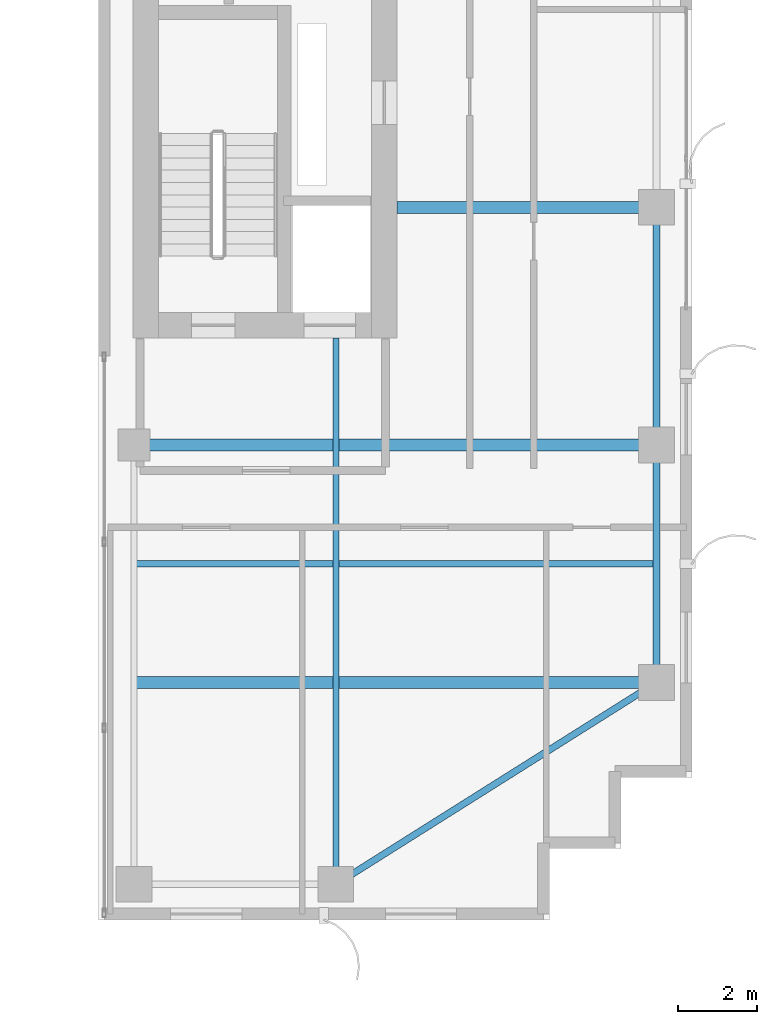
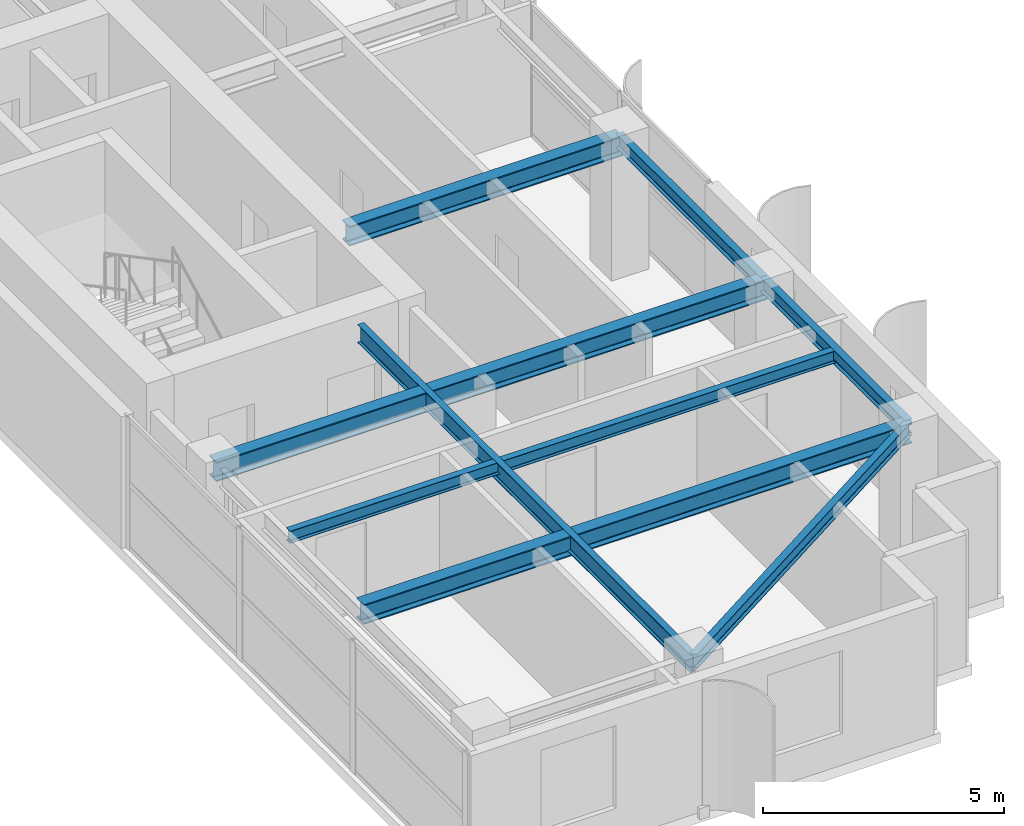
# One storey, part 10 of 22: 8 beams.
"""IFC4 building model written with IfcOpenShell, lengths in metres."""

from ifc_helpers import new_model, si_unit, direction, frame, origin, origin_2d, place, context, subcontext, project, spatial, i_section, extrude, source, transform, mapped, material, material_profile, profile_set, type_object, element, save


model = new_model("IFC4")

# Units and contexts
model_context = context("Model", 3, precision=1e-05, world=origin(), true_north=direction((0.0, 1.0)))
body_context = subcontext(model_context, "Body", "Model", "MODEL_VIEW")
ifc_project = project(units=[si_unit("LENGTHUNIT", "METRE"), si_unit("AREAUNIT", "SQUARE_METRE"), si_unit("VOLUMEUNIT", "CUBIC_METRE"), si_unit("PLANEANGLEUNIT", "RADIAN"), si_unit("MASSUNIT", "GRAM", prefix="KILO")], contexts=[model_context])

# Site, building, storey
site_placement = place(None, origin())
site = spatial("IfcSite", under=ifc_project, at=site_placement, CompositionType="ELEMENT")
building_placement = place(site_placement, origin())
building = spatial("IfcBuilding", under=site, at=building_placement, Name="Khoralis Quay Care Tower", CompositionType="ELEMENT")
storey_placement = place(building_placement, frame((0.0, 0.0, 209.699951171875)))
storey = spatial("IfcBuildingStorey", under=building, at=storey_placement, Name="L55", CompositionType="ELEMENT", Elevation=209.699951171875)

# Beams
ifc_material = material(Name="Steel S355", Category="steel")
ifc_material_profile_1 = material_profile(ifc_material, i_section(OverallWidth=0.169921875, OverallDepth=0.360107421875, WebThickness=0.008056640625, FlangeThickness=0.0126953125, FilletRadius=0.01806640625, at=origin_2d()), Name="Steel S355")
ifc_profile_set_1 = profile_set([ifc_material_profile_1], Name="Steel S355")
beam_type_1 = type_object("IfcBeamType", Name="BM-IPE360", PredefinedType="SPANDREL", material=ifc_profile_set_1)
shared_shape_1 = source(origin(), body_context, "Body", "SweptSolid", [
    extrude(i_section(OverallWidth=0.169921875, OverallDepth=0.360107421875, WebThickness=0.008056640625, FlangeThickness=0.0126953125, FilletRadius=0.01806640625, at=origin_2d()), origin(), (0.0, 0.0, 1.0), 6.0),
])
for number, where, z_axis, x_axis, name in (
    (1, (44.10009765625, 6.0, 3.16015625), (0.0, 1.0, 0.0), (-1.0, 0.0, 0.0), "BM-TSP-L55-10"),
    (2, (44.10009765625, 12.0, 3.16015625), (0.0, 1.0, 0.0), (-1.0, 0.0, 0.0), "BM-TSP-L55-11"),
):
    element("IfcBeam", number, at=place(storey_placement, frame(where, z_axis=z_axis, x_axis=x_axis)), inside=storey, type_object=beam_type_1, Name=name, PredefinedType="SPANDREL", context=body_context, shape_type="MappedRepresentation", body=[
        mapped(shared_shape_1, transform((0.0, 0.0, 0.0), scale=1.0)),
    ])
shared_shape_2 = source(origin(), body_context, "Body", "SweptSolid", [
    extrude(i_section(OverallWidth=0.169921875, OverallDepth=0.360107421875, WebThickness=0.008056640625, FlangeThickness=0.0126953125, FilletRadius=0.01806640625, at=origin_2d()), origin(), (0.0, 0.0, 1.0), 9.572021484375),
])
beam_1_placement = place(storey_placement, frame((36.0, 0.89990234375, 3.16015625), z_axis=(0.846231136359, 0.532815975602, 0.0), x_axis=(-0.532815975602, 0.846231136359, 0.0)))
element("IfcBeam", 3, at=beam_1_placement, inside=storey, type_object=beam_type_1, Name="BM-TCR-L55-16", PredefinedType="SPANDREL", context=body_context, shape_type="MappedRepresentation", body=[
    mapped(shared_shape_2, transform((0.0, 0.0, 0.0), scale=1.0)),
])
ifc_material_profile_2 = material_profile(ifc_material, i_section(OverallWidth=0.300048828125, OverallDepth=0.5, WebThickness=0.014404296875, FlangeThickness=0.028076171875, FilletRadius=0.027099609375, at=origin_2d()), Name="Steel S355")
ifc_profile_set_2 = profile_set([ifc_material_profile_2], Name="Steel S355")
beam_type_2 = type_object("IfcBeamType", Name="BM-HEB500", PredefinedType="BEAM", material=ifc_profile_set_2)
shared_shape_3 = source(origin(), body_context, "Body", "SweptSolid", [
    extrude(i_section(OverallWidth=0.300048828125, OverallDepth=0.5, WebThickness=0.014404296875, FlangeThickness=0.028076171875, FilletRadius=0.027099609375, at=origin_2d()), origin(), (0.0, 0.0, 1.0), 13.135009765625),
])
beam_2_placement = place(storey_placement, frame((30.965087890625, 6.0, 3.090087890625), z_axis=(1.0, 0.0, 0.0), x_axis=(0.0, 1.0, 0.0)))
element("IfcBeam", 4, at=beam_2_placement, inside=storey, type_object=beam_type_2, Name="BM-TGXE-L55-60", PredefinedType="BEAM", context=body_context, shape_type="MappedRepresentation", body=[
    mapped(shared_shape_3, transform((0.0, 0.0, 0.0), scale=1.0)),
])
shared_shape_4 = source(origin(), body_context, "Body", "SweptSolid", [
    extrude(i_section(OverallWidth=0.300048828125, OverallDepth=0.5, WebThickness=0.014404296875, FlangeThickness=0.028076171875, FilletRadius=0.027099609375, at=origin_2d()), origin(), (0.0, 0.0, 1.0), 13.2001953125),
])
beam_3_placement = place(storey_placement, frame((30.89990234375, 12.0, 3.090087890625), z_axis=(1.0, 0.0, 0.0), x_axis=(0.0, 1.0, 0.0)))
element("IfcBeam", 5, at=beam_3_placement, inside=storey, type_object=beam_type_2, Name="BM-TGXE-L55-120", PredefinedType="BEAM", context=body_context, shape_type="MappedRepresentation", body=[
    mapped(shared_shape_4, transform((0.0, 0.0, 0.0), scale=1.0)),
])
shared_shape_5 = source(origin(), body_context, "Body", "SweptSolid", [
    extrude(i_section(OverallWidth=0.300048828125, OverallDepth=0.5, WebThickness=0.014404296875, FlangeThickness=0.028076171875, FilletRadius=0.027099609375, at=origin_2d()), origin(), (0.0, 0.0, 1.0), 6.552001953125),
])
beam_4_placement = place(storey_placement, frame((37.548095703125, 18.0, 3.090087890625), z_axis=(1.0, 0.0, 0.0), x_axis=(0.0, 1.0, 0.0)))
element("IfcBeam", 6, at=beam_4_placement, inside=storey, type_object=beam_type_2, Name="BM-TGXE-L55-180", PredefinedType="BEAM", context=body_context, shape_type="MappedRepresentation", body=[
    mapped(shared_shape_5, transform((0.0, 0.0, 0.0), scale=1.0)),
])
ifc_material_profile_3 = material_profile(ifc_material, i_section(OverallWidth=0.154052734375, OverallDepth=0.458984375, WebThickness=0.009033203125, FlangeThickness=0.015380859375, FilletRadius=0.014892578125, at=origin_2d()), Name="Steel S355")
ifc_profile_set_3 = profile_set([ifc_material_profile_3], Name="Steel S355")
beam_type_3 = type_object("IfcBeamType", Name="BM-W460X68", PredefinedType="BEAM", material=ifc_profile_set_3)
shared_shape_6 = source(origin(), body_context, "Body", "SweptSolid", [
    extrude(i_section(OverallWidth=0.154052734375, OverallDepth=0.458984375, WebThickness=0.009033203125, FlangeThickness=0.015380859375, FilletRadius=0.014892578125, at=origin_2d()), origin(), (0.0, 0.0, 1.0), 13.802001953125),
])
beam_5_placement = place(storey_placement, frame((36.0, 0.89990234375, 3.110595703125), z_axis=(0.0, 1.0, 0.0), x_axis=(-1.0, 0.0, 0.0)))
element("IfcBeam", 7, at=beam_5_placement, inside=storey, type_object=beam_type_3, Name="BM-TGYS-L55-360", PredefinedType="BEAM", context=body_context, shape_type="MappedRepresentation", body=[
    mapped(shared_shape_6, transform((0.0, 0.0, 0.0), scale=1.0)),
])
ifc_material_profile_4 = material_profile(ifc_material, i_section(OverallWidth=0.1650390625, OverallDepth=0.31005859375, WebThickness=0.005859375, FlangeThickness=0.009765625, FilletRadius=0.011962890625, at=origin_2d()), Name="Steel S355")
ifc_profile_set_4 = profile_set([ifc_material_profile_4], Name="Steel S355")
beam_type_4 = type_object("IfcBeamType", Name="BM-W310X39", PredefinedType="JOIST", material=ifc_profile_set_4)
shared_shape_7 = source(origin(), body_context, "Body", "SweptSolid", [
    extrude(i_section(OverallWidth=0.1650390625, OverallDepth=0.31005859375, WebThickness=0.005859375, FlangeThickness=0.009765625, FilletRadius=0.011962890625, at=origin_2d()), origin(), (0.0, 0.0, 1.0), 13.06396484375),
])
beam_6_placement = place(storey_placement, frame((30.965087890625, 9.0, 3.18505859375), z_axis=(1.0, 0.0, 0.0), x_axis=(0.0, 1.0, 0.0)))
element("IfcBeam", 8, at=beam_6_placement, inside=storey, type_object=beam_type_4, Name="BM-TJS-L55-20", PredefinedType="JOIST", context=body_context, shape_type="MappedRepresentation", body=[
    mapped(shared_shape_7, transform((0.0, 0.0, 0.0), scale=1.0)),
])

save(model, "model.ifc")
